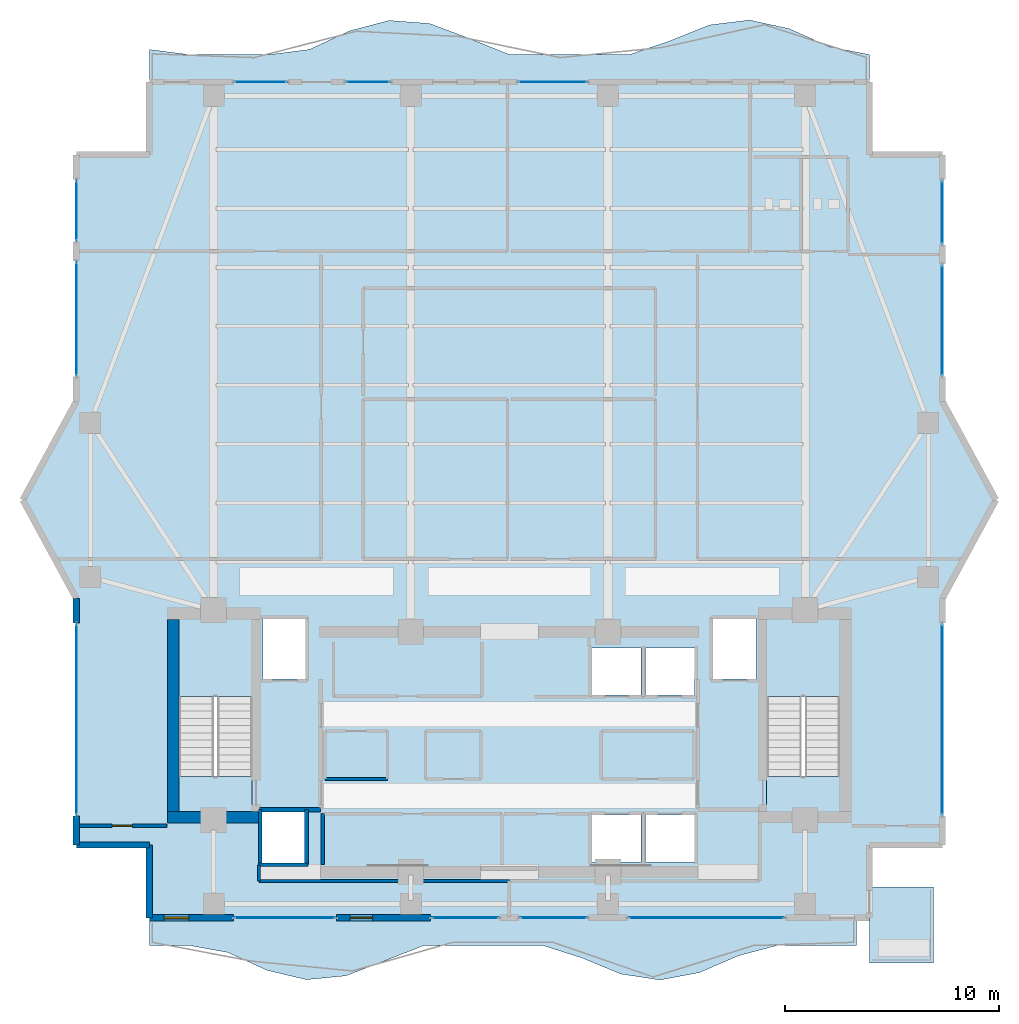
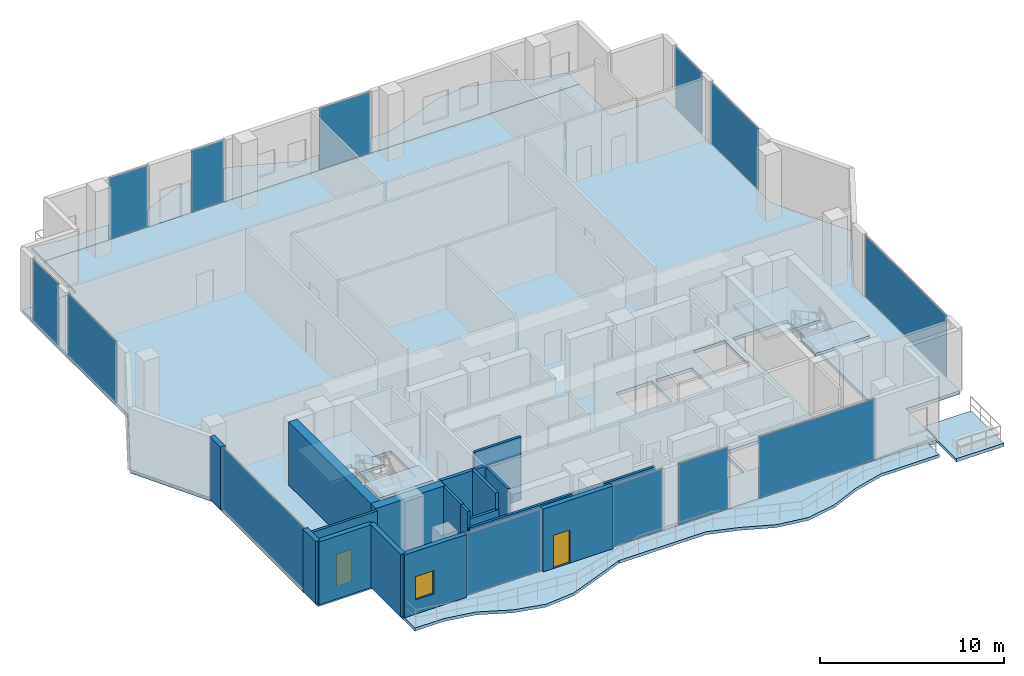
# One storey, part 16 of 23: 17 walls, 13 plates, 8 slabs, 2 doors, 1 window, 3 openings, 15 elements without a shape of their own.
"""IFC4 building model written with IfcOpenShell, lengths in metres."""

from ifc_helpers import new_model, si_unit, direction, frame, frame_2d, origin, origin_2d, place, context, subcontext, project, spatial, polyline, rectangle, outline, extrude, material, layer, layer_set, type_object, element, fill, aggregate, save


model = new_model("IFC4")

# Units and contexts
model_context = context("Model", 3, precision=1e-05, world=origin(), true_north=direction((0.0, 1.0)))
body_context = subcontext(model_context, "Body", "Model", "MODEL_VIEW")
ifc_project = project(units=[si_unit("LENGTHUNIT", "METRE"), si_unit("AREAUNIT", "SQUARE_METRE"), si_unit("VOLUMEUNIT", "CUBIC_METRE"), si_unit("PLANEANGLEUNIT", "RADIAN"), si_unit("MASSUNIT", "GRAM", prefix="KILO")], contexts=[model_context])

# Site, building, storey
site_placement = place(None, origin())
site = spatial("IfcSite", under=ifc_project, at=site_placement, CompositionType="ELEMENT")
building_placement = place(site_placement, origin())
building = spatial("IfcBuilding", under=site, at=building_placement, Name="Zuhayl Quay Hotel", CompositionType="ELEMENT")
storey_placement = place(building_placement, frame((0.0, 0.0, 288.449951171875)))
storey = spatial("IfcBuildingStorey", under=building, at=storey_placement, Name="L73", CompositionType="ELEMENT", Elevation=288.449951171875)

# Curtain wall, plate
ifc_material_1 = material(Name="Anodised Aluminium 6063-T6", Category="aluminium")
ifc_layer_1 = layer(ifc_material_1, 0.169921875, Name="Anodised Aluminium 6063-T6", Category="aluminium")
ifc_layer_set_1 = layer_set([ifc_layer_1], Name="Anodised Aluminium 6063-T6")
curtain_wall_type = type_object("IfcCurtainWallType", Name="CW_SYS_Z4", PredefinedType="USERDEFINED", material=ifc_layer_set_1)
curtain_wall_1_placement = place(storey_placement, origin())
curtain_wall_1 = element("IfcCurtainWall", 1, at=curtain_wall_1_placement, inside=storey, type_object=curtain_wall_type, Name="L73 Curtain Wall ENV_L73_E02_CW1", ObjectType="UNITISED CURTAIN WALL", PredefinedType="USERDEFINED")
ifc_material_2 = material(Name="Dark Ceramic-Fritted Solar Glass", Category="glass")
ifc_layer_2 = layer(ifc_material_2, 0.035888671875, Name="Dark Ceramic-Fritted Solar Glass", Category="glass")
ifc_layer_set_2 = layer_set([ifc_layer_2], Name="Dark Ceramic-Fritted Solar Glass")
plate_type = type_object("IfcPlateType", Name="PN_DARK_FRIT_Z1", PredefinedType="CURTAIN_PANEL", material=ifc_layer_set_2)
plate_1_placement = place(storey_placement, frame((-20.199951171875, 9.25, 0.05517578125), z_axis=(0.0, 0.0, 1.0), x_axis=(0.0, 1.0, 0.0)))
plate_1 = element("IfcPlate", 2, at=plate_1_placement, type_object=plate_type, Name="CW-Z4 panel 1.1", PredefinedType="CURTAIN_PANEL", context=body_context, shape_type="SweptSolid", body=[
    extrude(rectangle(XDim=8.8701171875, YDim=0.035888671875, at=origin_2d()), origin(), (0.0, 0.0, 1.0), 4.070068359375),
])
aggregate(curtain_wall_1, [plate_1])

curtain_wall_2_placement = place(storey_placement, origin())
curtain_wall_2 = element("IfcCurtainWall", 3, at=curtain_wall_2_placement, inside=storey, type_object=curtain_wall_type, Name="L73 Curtain Wall ENV_L73_E05_CW1", ObjectType="UNITISED CURTAIN WALL", PredefinedType="USERDEFINED")
plate_2_placement = place(storey_placement, frame((-20.199951171875, 27.949951171875, 0.05517578125), z_axis=(0.0, 0.0, 1.0), x_axis=(0.0, 1.0, 0.0)))
plate_2 = element("IfcPlate", 4, at=plate_2_placement, type_object=plate_type, Name="CW-Z4 panel 1.1", PredefinedType="CURTAIN_PANEL", context=body_context, shape_type="SweptSolid", body=[
    extrude(rectangle(XDim=5.27001953125, YDim=0.035888671875, at=origin_2d()), origin(), (0.0, 0.0, 1.0), 4.070068359375),
])
aggregate(curtain_wall_2, [plate_2])

curtain_wall_3_placement = place(storey_placement, origin())
curtain_wall_3 = element("IfcCurtainWall", 5, at=curtain_wall_3_placement, inside=storey, type_object=curtain_wall_type, Name="L73 Curtain Wall ENV_L73_E05_CW2", ObjectType="UNITISED CURTAIN WALL", PredefinedType="USERDEFINED")
plate_3_placement = place(storey_placement, frame((-20.199951171875, 33.0, 0.05517578125), z_axis=(0.0, 0.0, 1.0), x_axis=(0.0, 1.0, 0.0)))
plate_3 = element("IfcPlate", 6, at=plate_3_placement, type_object=plate_type, Name="CW-Z4 panel 1.1", PredefinedType="CURTAIN_PANEL", context=body_context, shape_type="SweptSolid", body=[
    extrude(rectangle(XDim=2.77001953125, YDim=0.035888671875, at=origin_2d()), origin(), (0.0, 0.0, 1.0), 4.070068359375),
])
aggregate(curtain_wall_3, [plate_3])

curtain_wall_4_placement = place(storey_placement, origin())
curtain_wall_4 = element("IfcCurtainWall", 7, at=curtain_wall_4_placement, inside=storey, type_object=curtain_wall_type, Name="L73 Curtain Wall ENV_L73_N_CW1", ObjectType="UNITISED CURTAIN WALL", PredefinedType="USERDEFINED")
plate_4_placement = place(storey_placement, frame((-11.6025390625, 39.0, 0.05517578125), z_axis=(0.0, 0.0, 1.0), x_axis=(1.0, 0.0, 0.0)))
plate_4 = element("IfcPlate", 8, at=plate_4_placement, type_object=plate_type, Name="CW-Z4 panel 1.1", PredefinedType="CURTAIN_PANEL", context=body_context, shape_type="SweptSolid", body=[
    extrude(rectangle(XDim=2.425048828125, YDim=0.035888671875, at=origin_2d()), origin(), (0.0, 0.0, 1.0), 4.070068359375),
])
aggregate(curtain_wall_4, [plate_4])

curtain_wall_5_placement = place(storey_placement, origin())
curtain_wall_5 = element("IfcCurtainWall", 9, at=curtain_wall_5_placement, inside=storey, type_object=curtain_wall_type, Name="L73 Curtain Wall ENV_L73_N_CW2", ObjectType="UNITISED CURTAIN WALL", PredefinedType="USERDEFINED")
plate_5_placement = place(storey_placement, frame((-6.597412109375, 39.0, 0.05517578125), z_axis=(0.0, 0.0, 1.0), x_axis=(1.0, 0.0, 0.0)))
plate_5 = element("IfcPlate", 10, at=plate_5_placement, type_object=plate_type, Name="CW-Z4 panel 1.1", PredefinedType="CURTAIN_PANEL", context=body_context, shape_type="SweptSolid", body=[
    extrude(rectangle(XDim=2.02490234375, YDim=0.035888671875, at=origin_2d()), origin(), (0.0, 0.0, 1.0), 4.070068359375),
])
aggregate(curtain_wall_5, [plate_5])

curtain_wall_6_placement = place(storey_placement, origin())
curtain_wall_6 = element("IfcCurtainWall", 11, at=curtain_wall_6_placement, inside=storey, type_object=curtain_wall_type, Name="L73 Curtain Wall ENV_L73_N_CW3", ObjectType="UNITISED CURTAIN WALL", PredefinedType="USERDEFINED")
plate_6_placement = place(storey_placement, frame((2.02490234375, 39.0, 0.05517578125), z_axis=(0.0, 0.0, 1.0), x_axis=(1.0, 0.0, 0.0)))
plate_6 = element("IfcPlate", 12, at=plate_6_placement, type_object=plate_type, Name="CW-Z4 panel 1.1", PredefinedType="CURTAIN_PANEL", context=body_context, shape_type="SweptSolid", body=[
    extrude(rectangle(XDim=3.179931640625, YDim=0.035888671875, at=origin_2d()), origin(), (0.0, 0.0, 1.0), 4.070068359375),
])
aggregate(curtain_wall_6, [plate_6])

curtain_wall_7_placement = place(storey_placement, origin())
curtain_wall_7 = element("IfcCurtainWall", 13, at=curtain_wall_7_placement, inside=storey, type_object=curtain_wall_type, Name="L73 Curtain Wall ENV_L73_E11_CW1", ObjectType="UNITISED CURTAIN WALL", PredefinedType="USERDEFINED")
plate_7_placement = place(storey_placement, frame((20.199951171875, 32.925048828125, 0.05517578125), z_axis=(0.0, 0.0, 1.0), x_axis=(0.0, -1.0, 0.0)))
plate_7 = element("IfcPlate", 14, at=plate_7_placement, type_object=plate_type, Name="CW-Z4 panel 1.1", PredefinedType="CURTAIN_PANEL", context=body_context, shape_type="SweptSolid", body=[
    extrude(rectangle(XDim=2.919921875, YDim=0.035888671875, at=origin_2d()), origin(), (0.0, 0.0, 1.0), 4.070068359375),
])
aggregate(curtain_wall_7, [plate_7])

curtain_wall_8_placement = place(storey_placement, origin())
curtain_wall_8 = element("IfcCurtainWall", 15, at=curtain_wall_8_placement, inside=storey, type_object=curtain_wall_type, Name="L73 Curtain Wall ENV_L73_E11_CW2", ObjectType="UNITISED CURTAIN WALL", PredefinedType="USERDEFINED")
plate_8_placement = place(storey_placement, frame((20.199951171875, 27.875, 0.05517578125), z_axis=(0.0, 0.0, 1.0), x_axis=(0.0, -1.0, 0.0)))
plate_8 = element("IfcPlate", 16, at=plate_8_placement, type_object=plate_type, Name="CW-Z4 panel 1.1", PredefinedType="CURTAIN_PANEL", context=body_context, shape_type="SweptSolid", body=[
    extrude(rectangle(XDim=5.1201171875, YDim=0.035888671875, at=origin_2d()), origin(), (0.0, 0.0, 1.0), 4.070068359375),
])
aggregate(curtain_wall_8, [plate_8])

curtain_wall_9_placement = place(storey_placement, origin())
curtain_wall_9 = element("IfcCurtainWall", 17, at=curtain_wall_9_placement, inside=storey, type_object=curtain_wall_type, Name="L73 Curtain Wall ENV_L73_E14_CW1", ObjectType="UNITISED CURTAIN WALL", PredefinedType="USERDEFINED")
plate_9_placement = place(storey_placement, frame((20.199951171875, 9.25, 0.05517578125), z_axis=(0.0, 0.0, 1.0), x_axis=(0.0, -1.0, 0.0)))
plate_9 = element("IfcPlate", 18, at=plate_9_placement, type_object=plate_type, Name="CW-Z4 panel 1.1", PredefinedType="CURTAIN_PANEL", context=body_context, shape_type="SweptSolid", body=[
    extrude(rectangle(XDim=8.8701171875, YDim=0.035888671875, at=origin_2d()), origin(), (0.0, 0.0, 1.0), 4.070068359375),
])
aggregate(curtain_wall_9, [plate_9])

curtain_wall_10_placement = place(storey_placement, origin())
curtain_wall_10 = element("IfcCurtainWall", 19, at=curtain_wall_10_placement, inside=storey, type_object=curtain_wall_type, Name="L73 Curtain Wall ENV_L73_S_CW1", ObjectType="UNITISED CURTAIN WALL", PredefinedType="USERDEFINED")
plate_10_placement = place(storey_placement, frame((9.199951171875, 0.0, 0.05517578125), z_axis=(0.0, 0.0, 1.0), x_axis=(-1.0, 0.0, 0.0)))
plate_10 = element("IfcPlate", 20, at=plate_10_placement, type_object=plate_type, Name="CW-Z4 panel 1.1", PredefinedType="CURTAIN_PANEL", context=body_context, shape_type="SweptSolid", body=[
    extrude(rectangle(XDim=7.22998046875, YDim=0.035888671875, at=origin_2d()), origin(), (0.0, 0.0, 1.0), 4.070068359375),
])
aggregate(curtain_wall_10, [plate_10])

curtain_wall_11_placement = place(storey_placement, origin())
curtain_wall_11 = element("IfcCurtainWall", 21, at=curtain_wall_11_placement, inside=storey, type_object=curtain_wall_type, Name="L73 Curtain Wall ENV_L73_S_CW2", ObjectType="UNITISED CURTAIN WALL", PredefinedType="USERDEFINED")
plate_11_placement = place(storey_placement, frame((2.06494140625, 0.0, 0.05517578125), z_axis=(0.0, 0.0, 1.0), x_axis=(-1.0, 0.0, 0.0)))
plate_11 = element("IfcPlate", 22, at=plate_11_placement, type_object=plate_type, Name="CW-Z4 panel 1.1", PredefinedType="CURTAIN_PANEL", context=body_context, shape_type="SweptSolid", body=[
    extrude(rectangle(XDim=3.10009765625, YDim=0.035888671875, at=origin_2d()), origin(), (0.0, 0.0, 1.0), 4.070068359375),
])
aggregate(curtain_wall_11, [plate_11])

curtain_wall_12_placement = place(storey_placement, origin())
curtain_wall_12 = element("IfcCurtainWall", 23, at=curtain_wall_12_placement, inside=storey, type_object=curtain_wall_type, Name="L73 Curtain Wall ENV_L73_S_CW3", ObjectType="UNITISED CURTAIN WALL", PredefinedType="USERDEFINED")
plate_12_placement = place(storey_placement, frame((-2.06494140625, 0.0, 0.05517578125), z_axis=(0.0, 0.0, 1.0), x_axis=(-1.0, 0.0, 0.0)))
plate_12 = element("IfcPlate", 24, at=plate_12_placement, type_object=plate_type, Name="CW-Z4 panel 1.1", PredefinedType="CURTAIN_PANEL", context=body_context, shape_type="SweptSolid", body=[
    extrude(rectangle(XDim=3.10009765625, YDim=0.035888671875, at=origin_2d()), origin(), (0.0, 0.0, 1.0), 4.070068359375),
])
aggregate(curtain_wall_12, [plate_12])

curtain_wall_13_placement = place(storey_placement, origin())
curtain_wall_13 = element("IfcCurtainWall", 25, at=curtain_wall_13_placement, inside=storey, type_object=curtain_wall_type, Name="L73 Curtain Wall ENV_L73_S_CW4", ObjectType="UNITISED CURTAIN WALL", PredefinedType="USERDEFINED")
plate_13_placement = place(storey_placement, frame((-10.4775390625, 0.0, 0.05517578125), z_axis=(0.0, 0.0, 1.0), x_axis=(-1.0, 0.0, 0.0)))
plate_13 = element("IfcPlate", 26, at=plate_13_placement, type_object=plate_type, Name="CW-Z4 panel 1.1", PredefinedType="CURTAIN_PANEL", context=body_context, shape_type="SweptSolid", body=[
    extrude(rectangle(XDim=4.675048828125, YDim=0.035888671875, at=origin_2d()), origin(), (0.0, 0.0, 1.0), 4.070068359375),
])
aggregate(curtain_wall_13, [plate_13])

# Slabs
ifc_material_3 = material(Name="Concrete C45/55", Category="concrete")
ifc_layer_3 = layer(ifc_material_3, 0.195068359375, Name="Concrete C45/55", Category="concrete")
ifc_layer_set_3 = layer_set([ifc_layer_3], Name="Concrete C45/55")
slab_type_1 = type_object("IfcSlabType", Name="SL_BALCONY_195", PredefinedType="FLOOR", material=ifc_layer_set_3)
slab_1_placement = place(storey_placement, frame((0.0, 0.0, -0.195068359375)))
element("IfcSlab", 27, at=slab_1_placement, inside=storey, type_object=slab_type_1, Name="L73 Exterior Rippling Balcony Slab North", PredefinedType="FLOOR", context=body_context, shape_type="SweptSolid", body=[
    extrude(outline(polyline([(-16.800048828125, 39.0), (16.800048828125, 39.0), (16.800048828125, 40.280029296875), (14.933349609375, 40.64990234375), (13.066650390625, 41.486328125), (11.199951171875, 41.893310546875), (9.333251953125, 41.661376953125), (7.466796875, 40.909912109375), (5.60009765625, 40.280029296875), (3.7333984375, 40.280029296875), (1.86669921875, 40.280029296875), (0.0, 40.280029296875), (-1.86669921875, 41.036376953125), (-3.7333984375, 41.732421875), (-5.60009765625, 41.872802734375), (-7.466796875, 41.384765625), (-9.333251953125, 40.519287109375), (-11.199951171875, 40.280029296875), (-13.066650390625, 40.280029296875), (-14.933349609375, 40.280029296875), (-16.800048828125, 40.519287109375), (-16.800048828125, 39.0)])), origin(), (0.0, 0.0, 1.0), 0.195068359375),
])
slab_2_placement = place(storey_placement, frame((0.0, 0.0, -0.195068359375)))
element("IfcSlab", 28, at=slab_2_placement, inside=storey, type_object=slab_type_1, Name="L73 Exterior Rippling Balcony Slab South", PredefinedType="FLOOR", context=body_context, shape_type="SweptSolid", body=[
    extrude(outline(polyline([(-16.800048828125, -1.280029296875), (-14.966796875, -1.280029296875), (-13.13330078125, -1.6171875), (-11.300048828125, -2.44921875), (-9.466796875, -2.884521484375), (-7.63330078125, -2.707275390625), (-5.800048828125, -2.0048828125), (-3.966796875, -1.280029296875), (-2.13330078125, -1.280029296875), (-0.300048828125, -1.280029296875), (1.533203125, -1.280029296875), (3.36669921875, -1.86181640625), (5.199951171875, -2.621337890625), (7.033203125, -2.89892578125), (8.86669921875, -2.556640625), (10.699951171875, -1.764404296875), (12.533203125, -1.280029296875), (14.36669921875, -1.280029296875), (16.199951171875, -1.280029296875), (16.199951171875, 0.0), (-16.800048828125, 0.0), (-16.800048828125, -1.280029296875)])), origin(), (0.0, 0.0, 1.0), 0.195068359375),
])
ifc_layer_4 = layer(ifc_material_3, 0.219970703125, Name="Concrete C45/55", Category="concrete")
ifc_layer_set_4 = layer_set([ifc_layer_4], Name="Concrete C45/55")
slab_type_2 = type_object("IfcSlabType", Name="SL_FLOOR_220", PredefinedType="FLOOR", material=ifc_layer_set_4)
slab_3_placement = place(storey_placement, frame((0.0, 0.0, -0.219970703125)))
element("IfcSlab", 29, at=slab_3_placement, inside=storey, type_object=slab_type_2, Name="L73 Structural Floor Slab", PredefinedType="FLOOR", context=body_context, shape_type="SweptSolid", body=[
    extrude(outline(polyline([(-16.800048828125, 0.0), (16.800048828125, 0.0), (16.800048828125, 3.39990234375), (20.199951171875, 3.39990234375), (20.199951171875, 14.89990234375), (22.699951171875, 19.5), (20.199951171875, 24.10009765625), (20.199951171875, 35.60009765625), (16.800048828125, 35.60009765625), (16.800048828125, 39.0), (-16.800048828125, 39.0), (-16.800048828125, 35.60009765625), (-20.199951171875, 35.60009765625), (-20.199951171875, 24.10009765625), (-22.699951171875, 19.5), (-20.199951171875, 14.89990234375), (-20.199951171875, 3.39990234375), (-16.800048828125, 3.39990234375), (-16.800048828125, 0.0)]), holes=[polyline([(-12.0, 4.949951171875), (-12.0, 13.949951171875), (-15.429931640625, 13.949951171875), (-15.429931640625, 4.949951171875), (-12.0, 4.949951171875)]), polyline([(15.429931640625, 4.949951171875), (15.429931640625, 13.949951171875), (12.0, 13.949951171875), (12.0, 4.949951171875), (15.429931640625, 4.949951171875)]), polyline([(-11.5, 11.14990234375), (-9.5, 11.14990234375), (-9.5, 13.949951171875), (-11.5, 13.949951171875), (-11.5, 11.14990234375)]), polyline([(9.5, 11.14990234375), (11.5, 11.14990234375), (11.5, 13.949951171875), (9.5, 13.949951171875), (9.5, 11.14990234375)]), polyline([(3.85009765625, 2.60009765625), (6.14990234375, 2.60009765625), (6.14990234375, 4.800048828125), (3.85009765625, 4.800048828125), (3.85009765625, 2.60009765625)]), polyline([(6.35009765625, 2.60009765625), (8.64990234375, 2.60009765625), (8.64990234375, 4.800048828125), (6.35009765625, 4.800048828125), (6.35009765625, 2.60009765625)]), polyline([(3.85009765625, 10.39990234375), (6.14990234375, 10.39990234375), (6.14990234375, 12.60009765625), (3.85009765625, 12.60009765625), (3.85009765625, 10.39990234375)]), polyline([(6.35009765625, 10.39990234375), (8.64990234375, 10.39990234375), (8.64990234375, 12.60009765625), (6.35009765625, 12.60009765625), (6.35009765625, 10.39990234375)]), polyline([(-11.550048828125, 2.550048828125), (-9.550048828125, 2.550048828125), (-9.550048828125, 4.949951171875), (-11.550048828125, 4.949951171875), (-11.550048828125, 2.550048828125)])]), origin(), (0.0, 0.0, 1.0), 0.219970703125),
])

# Stair, slabs
stair_type = type_object("IfcStairType", Name="ST_DOGLEG_TOWER", PredefinedType="HALF_TURN_STAIR", material=ifc_material_3)
stair_1_placement = place(storey_placement, origin())
stair_1 = element("IfcStair", 30, at=stair_1_placement, inside=storey, type_object=stair_type, Name="L73 Smokeproof Exit Stair ST1", PredefinedType="HALF_TURN_STAIR")
ifc_layer_5 = layer(ifc_material_3, 0.199951171875, Name="Concrete C45/55", Category="concrete")
ifc_layer_set_5 = layer_set([ifc_layer_5], Name="Concrete C45/55")
slab_type_3 = type_object("IfcSlabType", Name="SL_STAIR_LANDING_200", PredefinedType="LANDING", material=ifc_layer_set_5)
slab_4_placement = place(storey_placement, frame((0.0, 0.0, 2.0)))
slab_4 = element("IfcSlab", 31, at=slab_4_placement, type_object=slab_type_3, Name="ST1 landing 1", PredefinedType="LANDING", context=body_context, shape_type="SweptSolid", body=[
    extrude(outline(polyline([(-12.0, 10.330078125), (-12.0, 13.949951171875), (-15.429931640625, 13.949951171875), (-15.429931640625, 10.330078125), (-12.0, 10.330078125)])), origin(), (0.0, 0.0, 1.0), 0.199951171875),
])
slab_5_placement = place(storey_placement, frame((0.0, 0.0, 4.199951171875)))
slab_5 = element("IfcSlab", 32, at=slab_5_placement, type_object=slab_type_3, Name="ST1 landing 2", PredefinedType="LANDING", context=body_context, shape_type="SweptSolid", body=[
    extrude(outline(polyline([(-12.0, 4.949951171875), (-12.0, 6.590087890625), (-15.429931640625, 6.590087890625), (-15.429931640625, 4.949951171875), (-12.0, 4.949951171875)])), origin(), (0.0, 0.0, 1.0), 0.2001953125),
])
aggregate(stair_1, [slab_4, slab_5])

stair_2_placement = place(storey_placement, origin())
stair_2 = element("IfcStair", 33, at=stair_2_placement, inside=storey, type_object=stair_type, Name="L73 Smokeproof Exit Stair ST2", PredefinedType="HALF_TURN_STAIR")
slab_6_placement = place(storey_placement, frame((0.0, 0.0, 2.0)))
slab_6 = element("IfcSlab", 34, at=slab_6_placement, type_object=slab_type_3, Name="ST2 landing 1", PredefinedType="LANDING", context=body_context, shape_type="SweptSolid", body=[
    extrude(outline(polyline([(15.429931640625, 10.330078125), (15.429931640625, 13.949951171875), (12.0, 13.949951171875), (12.0, 10.330078125), (15.429931640625, 10.330078125)])), origin(), (0.0, 0.0, 1.0), 0.199951171875),
])
slab_7_placement = place(storey_placement, frame((0.0, 0.0, 4.199951171875)))
slab_7 = element("IfcSlab", 35, at=slab_7_placement, type_object=slab_type_3, Name="ST2 landing 2", PredefinedType="LANDING", context=body_context, shape_type="SweptSolid", body=[
    extrude(outline(polyline([(15.429931640625, 4.949951171875), (15.429931640625, 6.590087890625), (12.0, 6.590087890625), (12.0, 4.949951171875), (15.429931640625, 4.949951171875)])), origin(), (0.0, 0.0, 1.0), 0.2001953125),
])
aggregate(stair_2, [slab_6, slab_7])

# Slab
ifc_layer_6 = layer(ifc_material_3, 0.219970703125, Name="Concrete C45/55", Category="concrete")
ifc_layer_set_6 = layer_set([ifc_layer_6], Name="Concrete C45/55")
slab_type_4 = type_object("IfcSlabType", Name="SL_TERRACE_235", PredefinedType="FLOOR", material=ifc_layer_set_6)
slab_8_placement = place(storey_placement, frame((0.0, 0.0, -0.219970703125)))
element("IfcSlab", 36, at=slab_8_placement, inside=storey, type_object=slab_type_4, Name="L73 Exterior Sky-Terrace Slab L73_SPIRAL_SE", PredefinedType="FLOOR", context=body_context, shape_type="SweptSolid", body=[
    extrude(outline(polyline([(16.800048828125, -2.10009765625), (19.800048828125, -2.10009765625), (19.800048828125, 1.449951171875), (16.800048828125, 1.449951171875), (16.800048828125, -2.10009765625)])), origin(), (0.0, 0.0, 1.0), 0.219970703125),
])

# Walls
ifc_material_4 = material(Name="Concrete C50/60", Category="concrete")
ifc_layer_7 = layer(ifc_material_4, 0.550048828125, Name="Concrete C50/60", Category="concrete")
ifc_layer_set_7 = layer_set([ifc_layer_7], Name="Concrete C50/60")
wall_type_1 = type_object("IfcWallType", Name="WL_CORE_550", PredefinedType="SHEAR", material=ifc_layer_set_7)
wall_1_placement = place(storey_placement, frame((-15.68505859375, 4.969970703125, 0.0), z_axis=(0.0, 0.0, 1.0), x_axis=(0.0, 1.0, 0.0)))
element("IfcWall", 37, at=wall_1_placement, inside=storey, type_object=wall_type_1, Name="L73 Core Shear Wall CW_W", PredefinedType="SHEAR", context=body_context, shape_type="SweptSolid", body=[
    extrude(rectangle(XDim=8.9599609375, YDim=0.550048828125, at=frame_2d((4.47998046875, 0.0))), origin(), (0.0, 0.0, 1.0), 4.2099609375),
])
wall_2_placement = place(storey_placement, frame((-15.9599609375, 4.695068359375, 0.0), z_axis=(0.0, 0.0, 1.0), x_axis=(1.0, 0.0, 0.0)))
element("IfcWall", 38, at=wall_2_placement, inside=storey, type_object=wall_type_1, Name="L73 Core Shear Wall CW_SW", PredefinedType="SHEAR", context=body_context, shape_type="SweptSolid", body=[
    extrude(rectangle(XDim=4.35986328125, YDim=0.550048828125, at=frame_2d((2.179931640625, 0.0))), origin(), (0.0, 0.0, 1.0), 4.2099609375),
])
ifc_material_5 = material(Name="Precast concrete C45/55", Category="concrete")
ifc_layer_8 = layer(ifc_material_5, 0.300048828125, Name="Precast concrete C45/55", Category="concrete")
ifc_layer_set_8 = layer_set([ifc_layer_8], Name="Precast concrete C45/55")
wall_type_2 = type_object("IfcWallType", Name="WL_EXT_300", PredefinedType="STANDARD", material=ifc_layer_set_8)
wall_3_placement = place(storey_placement, frame((-16.800048828125, 3.39990234375, 0.0), z_axis=(0.0, 0.0, 1.0), x_axis=(-1.0, 0.0, 0.0)))
element("IfcWall", 39, at=wall_3_placement, inside=storey, type_object=wall_type_2, Name="L73 Exterior Precast Wall ENV_L73_EW01", PredefinedType="STANDARD", context=body_context, shape_type="SweptSolid", body=[
    extrude(rectangle(XDim=3.39990234375, YDim=0.300048828125, at=frame_2d((1.699951171875, 0.0))), origin(), (0.0, 0.0, 1.0), 4.179931640625),
])
wall_4_placement = place(storey_placement, frame((-20.199951171875, 3.39990234375, 0.0), z_axis=(0.0, 0.0, 1.0), x_axis=(0.0, 1.0, 0.0)))
element("IfcWall", 40, at=wall_4_placement, inside=storey, type_object=wall_type_2, Name="L73 Exterior Precast Wall ENV_L73_E02_EW1", PredefinedType="STANDARD", context=body_context, shape_type="SweptSolid", body=[
    extrude(rectangle(XDim=1.35009765625, YDim=0.300048828125, at=frame_2d((0.675048828125, 0.0))), origin(), (0.0, 0.0, 1.0), 4.179931640625),
])
wall_5_placement = place(storey_placement, frame((-20.199951171875, 13.75, 0.0), z_axis=(0.0, 0.0, 1.0), x_axis=(0.0, 1.0, 0.0)))
element("IfcWall", 41, at=wall_5_placement, inside=storey, type_object=wall_type_2, Name="L73 Exterior Precast Wall ENV_L73_E02_EW2", PredefinedType="STANDARD", context=body_context, shape_type="SweptSolid", body=[
    extrude(rectangle(XDim=1.14990234375, YDim=0.300048828125, at=frame_2d((0.574951171875, 0.0))), origin(), (0.0, 0.0, 1.0), 4.179931640625),
])

# Wall, opening, door
wall_6_placement = place(storey_placement, frame((-3.679931640625, 0.0, 0.0), z_axis=(0.0, 0.0, 1.0), x_axis=(-1.0, 0.0, 0.0)))
wall_6 = element("IfcWall", 42, at=wall_6_placement, inside=storey, type_object=wall_type_2, Name="L73 Exterior Precast Wall ENV_L73_S_EW4", PredefinedType="STANDARD", context=body_context, shape_type="SweptSolid", body=[
    extrude(rectangle(XDim=4.39501953125, YDim=0.300048828125, at=frame_2d((2.197509765625, 0.0))), origin(), (0.0, 0.0, 1.0), 4.179931640625),
])
opening_1_placement = place(wall_6_placement, frame((2.695068359375, 0.0, 0.0)))
opening_1 = element("IfcOpeningElement", 43, at=opening_1_placement, cuts=wall_6, Name="Opening DG1", PredefinedType="OPENING", context=body_context, shape_type="SweptSolid", body=[
    extrude(rectangle(XDim=1.050048828125, YDim=2.199951171875, at=frame_2d((0.52490234375, 1.10009765625))), frame((0.0, 0.159912109375, 0.0), z_axis=(0.0, -1.0, 0.0), x_axis=(1.0, 0.0, 0.0)), (0.0, 0.0, 1.0), 0.320068359375),
])
ifc_material_6 = material(Name="Anodised Aluminium and Dark Solar Glass", Category="aluminium")
door_type_1 = type_object("IfcDoorType", Name="DR_EXT_TERR_1050", OperationType="NOTDEFINED", PredefinedType="DOOR", material=ifc_material_6)
door_1_placement = place(opening_1_placement, origin())
door_1 = element("IfcDoor", 44, at=door_1_placement, inside=storey, type_object=door_type_1, Name="L73 South Rippling Balcony Door", OperationType="SINGLE_SWING_RIGHT", OverallHeight=2.199951171875, OverallWidth=1.050048828125, PredefinedType="DOOR", context=body_context, shape_type="SweptSolid", body=[
    extrude(rectangle(XDim=1.050048828125, YDim=2.199951171875, at=frame_2d((0.52490234375, 1.10009765625))), frame((0.0, 0.02490234375, 0.0), z_axis=(0.0, -1.0, 0.0), x_axis=(1.0, 0.0, 0.0)), (0.0, 0.0, 1.0), 0.050048828125),
])
fill(opening_1, door_1)

# Wall, opening, window
wall_7_placement = place(storey_placement, frame((-12.8798828125, 0.0, 0.0), z_axis=(0.0, 0.0, 1.0), x_axis=(-1.0, 0.0, 0.0)))
wall_7 = element("IfcWall", 45, at=wall_7_placement, inside=storey, type_object=wall_type_2, Name="L73 Exterior Precast Wall ENV_L73_S_EW5", PredefinedType="STANDARD", context=body_context, shape_type="SweptSolid", body=[
    extrude(rectangle(XDim=3.920166015625, YDim=0.300048828125, at=frame_2d((1.9599609375, 0.0))), origin(), (0.0, 0.0, 1.0), 4.179931640625),
])
opening_2_placement = place(wall_7_placement, frame((2.074951171875, 0.0, 0.949951171875)))
opening_2 = element("IfcOpeningElement", 46, at=opening_2_placement, cuts=wall_7, Name="Opening W01N", PredefinedType="OPENING", context=body_context, shape_type="SweptSolid", body=[
    extrude(rectangle(XDim=1.14990234375, YDim=1.550048828125, at=frame_2d((0.574951171875, 0.77490234375))), frame((0.0, 0.159912109375, 0.0), z_axis=(0.0, -1.0, 0.0), x_axis=(1.0, 0.0, 0.0)), (0.0, 0.0, 1.0), 0.320068359375),
])
window_type = type_object("IfcWindowType", Name="WN_NOTCH_1350", PartitioningType="SINGLE_PANEL", PredefinedType="WINDOW", material=ifc_material_2)
window_placement = place(opening_2_placement, origin())
window = element("IfcWindow", 47, at=window_placement, inside=storey, type_object=window_type, Name="L73 Operable Facade Window 5-1", OverallHeight=1.550048828125, OverallWidth=1.14990234375, PartitioningType="SINGLE_PANEL", PredefinedType="WINDOW", context=body_context, shape_type="SweptSolid", body=[
    extrude(rectangle(XDim=1.14990234375, YDim=1.550048828125, at=frame_2d((0.574951171875, 0.77490234375))), frame((0.0, 0.030029296875, 0.0), z_axis=(0.0, -1.0, 0.0), x_axis=(1.0, 0.0, 0.0)), (0.0, 0.0, 1.0), 0.06005859375),
])
fill(opening_2, window)

# Walls
wall_8_placement = place(storey_placement, frame((-16.800048828125, 0.0, 0.0), z_axis=(0.0, 0.0, 1.0), x_axis=(0.0, 1.0, 0.0)))
element("IfcWall", 48, at=wall_8_placement, inside=storey, type_object=wall_type_2, Name="L73 Exterior Precast Wall ENV_L73_EW18", PredefinedType="STANDARD", context=body_context, shape_type="SweptSolid", body=[
    extrude(rectangle(XDim=3.39990234375, YDim=0.300048828125, at=frame_2d((1.699951171875, 0.0))), origin(), (0.0, 0.0, 1.0), 4.179931640625),
])
ifc_material_7 = material(Name="Acoustic Gypsum Partition STC-58")
ifc_layer_9 = layer(ifc_material_7, 0.14990234375, Name="Acoustic Gypsum Partition STC-58")
ifc_layer_set_9 = layer_set([ifc_layer_9], Name="Acoustic Gypsum Partition STC-58")
wall_type_3 = type_object("IfcWallType", Name="WL_PART_150", PredefinedType="PARTITIONING", material=ifc_layer_set_9)
wall_9_placement = place(storey_placement, frame((-8.7099609375, 2.489990234375, 0.0), z_axis=(0.0, 0.0, 1.0), x_axis=(0.0, 1.0, 0.0)))
element("IfcWall", 49, at=wall_9_placement, inside=storey, type_object=wall_type_3, Name="L73 Partition IW_L73_FMP_SW_W", PredefinedType="PARTITIONING", context=body_context, shape_type="SweptSolid", body=[
    extrude(rectangle(XDim=2.3701171875, YDim=0.14990234375, at=frame_2d((1.18505859375, 0.0))), origin(), (0.0, 0.0, 1.0), 4.179931640625),
])
wall_10_placement = place(storey_placement, frame((-8.610107421875, 6.47998046875, 0.0), z_axis=(0.0, 0.0, 1.0), x_axis=(1.0, 0.0, 0.0)))
element("IfcWall", 50, at=wall_10_placement, inside=storey, type_object=wall_type_3, Name="L73 Partition IW_L73_CORE_HK_S", PredefinedType="PARTITIONING", context=body_context, shape_type="SweptSolid", body=[
    extrude(rectangle(XDim=2.920166015625, YDim=0.14990234375, at=frame_2d((1.4599609375, 0.0))), origin(), (0.0, 0.0, 1.0), 4.179931640625),
])
wall_11_placement = place(storey_placement, frame((-11.679931640625, 1.719970703125, 0.0), z_axis=(0.0, 0.0, 1.0), x_axis=(0.0, 1.0, 0.0)))
element("IfcWall", 51, at=wall_11_placement, inside=storey, type_object=wall_type_3, Name="L73 Partition IW_L73_Z4_SUN_SW_IN", PredefinedType="PARTITIONING", context=body_context, shape_type="SweptSolid", body=[
    extrude(rectangle(XDim=0.75, YDim=0.14990234375, at=frame_2d((0.375, 0.0))), origin(), (0.0, 0.0, 1.0), 4.179931640625),
])
wall_12_placement = place(storey_placement, frame((-11.679931640625, 1.719970703125, 0.0), z_axis=(0.0, 0.0, 1.0), x_axis=(1.0, 0.0, 0.0)))
element("IfcWall", 52, at=wall_12_placement, inside=storey, type_object=wall_type_3, Name="L73 Partition IW_L73_Z4_SUN_SW_SN", PredefinedType="PARTITIONING", context=body_context, shape_type="SweptSolid", body=[
    extrude(rectangle(XDim=11.679931640625, YDim=0.14990234375, at=frame_2d((5.83984375, 0.0))), origin(), (0.0, 0.0, 1.0), 3.080078125),
])

# Wall, opening, door
ifc_layer_10 = layer(ifc_material_7, 0.159912109375, Name="Acoustic Gypsum Partition STC-58")
ifc_layer_set_10 = layer_set([ifc_layer_10], Name="Acoustic Gypsum Partition STC-58")
wall_type_4 = type_object("IfcWallType", Name="WL_PART_CORR_160", PredefinedType="PARTITIONING", material=ifc_layer_set_10)
wall_13_placement = place(storey_placement, frame((-20.139892578125, 4.300048828125, 0.0), z_axis=(0.0, 0.0, 1.0), x_axis=(1.0, 0.0, 0.0)))
wall_13 = element("IfcWall", 53, at=wall_13_placement, inside=storey, type_object=wall_type_4, Name="L73 Partition IW_L73_Z4_SUN_SW_N", PredefinedType="PARTITIONING", context=body_context, shape_type="SweptSolid", body=[
    extrude(rectangle(XDim=4.159912109375, YDim=0.159912109375, at=frame_2d((2.080078125, 0.0))), origin(), (0.0, 0.0, 1.0), 4.179931640625),
])
opening_3_placement = place(wall_13_placement, frame((1.60498046875, 0.0, 0.0)))
opening_3 = element("IfcOpeningElement", 54, at=opening_3_placement, cuts=wall_13, Name="Opening D03", PredefinedType="OPENING", context=body_context, shape_type="SweptSolid", body=[
    extrude(rectangle(XDim=0.949951171875, YDim=2.14990234375, at=frame_2d((0.47509765625, 1.074951171875))), frame((0.0, 0.08984375, 0.0), z_axis=(0.0, -1.0, 0.0), x_axis=(1.0, 0.0, 0.0)), (0.0, 0.0, 1.0), 0.179931640625),
])
ifc_material_8 = material(Name="Solid Walnut Acoustic Fire Door")
door_type_2 = type_object("IfcDoorType", Name="DR_SUITE_950", OperationType="NOTDEFINED", PredefinedType="DOOR", material=ifc_material_8)
door_2_placement = place(opening_3_placement, origin())
door_2 = element("IfcDoor", 55, at=door_2_placement, inside=storey, type_object=door_type_2, Name="L73 Sunset Salon SW Door", OperationType="SINGLE_SWING_RIGHT", OverallHeight=2.14990234375, OverallWidth=0.949951171875, PredefinedType="DOOR", context=body_context, shape_type="SweptSolid", body=[
    extrude(rectangle(XDim=0.949951171875, YDim=2.14990234375, at=frame_2d((0.47509765625, 1.074951171875))), frame((0.0, 0.02490234375, 0.0), z_axis=(0.0, -1.0, 0.0), x_axis=(1.0, 0.0, 0.0)), (0.0, 0.0, 1.0), 0.050048828125),
])
fill(opening_3, door_2)

# Walls
ifc_material_9 = material(Name="Gypsum Fireboard Assembly EI-90")
ifc_layer_11 = layer(ifc_material_9, 0.1650390625, Name="Gypsum Fireboard Assembly EI-90")
ifc_layer_set_11 = layer_set([ifc_layer_11], Name="Gypsum Fireboard Assembly EI-90")
wall_type_5 = type_object("IfcWallType", Name="WL_PART_SHAFT_160", PredefinedType="PARTITIONING", material=ifc_layer_set_11)
wall_14_placement = place(storey_placement, frame((-11.6298828125, 2.469970703125, 0.0), z_axis=(0.0, 0.0, 1.0), x_axis=(0.0, 1.0, 0.0)))
element("IfcWall", 56, at=wall_14_placement, inside=storey, type_object=wall_type_5, Name="L73 Partition IW_L73_RISER_W", PredefinedType="PARTITIONING", context=body_context, shape_type="SweptSolid", body=[
    extrude(rectangle(XDim=2.580078125, YDim=0.1650390625, at=frame_2d((1.2900390625, 0.0))), origin(), (0.0, 0.0, 1.0), 4.179931640625),
])
wall_15_placement = place(storey_placement, frame((-11.7099609375, 2.469970703125, 0.0), z_axis=(0.0, 0.0, 1.0), x_axis=(1.0, 0.0, 0.0)))
element("IfcWall", 57, at=wall_15_placement, inside=storey, type_object=wall_type_5, Name="L73 Partition IW_L73_RISER_S", PredefinedType="PARTITIONING", context=body_context, shape_type="SweptSolid", body=[
    extrude(rectangle(XDim=2.31005859375, YDim=0.1650390625, at=frame_2d((1.155029296875, 0.0))), origin(), (0.0, 0.0, 1.0), 3.080078125),
])
ifc_layer_12 = layer(ifc_material_9, 0.179931640625, Name="Gypsum Fireboard Assembly EI-90")
ifc_layer_set_12 = layer_set([ifc_layer_12], Name="Gypsum Fireboard Assembly EI-90")
wall_type_6 = type_object("IfcWallType", Name="WL_PART_SHAFT_180", PredefinedType="PARTITIONING", material=ifc_layer_set_12)
wall_16_placement = place(storey_placement, frame((-9.469970703125, 2.449951171875, 0.0), z_axis=(0.0, 0.0, 1.0), x_axis=(0.0, 1.0, 0.0)))
element("IfcWall", 58, at=wall_16_placement, inside=storey, type_object=wall_type_6, Name="L73 Partition IW_L73_RISER_E", PredefinedType="PARTITIONING", context=body_context, shape_type="SweptSolid", body=[
    extrude(rectangle(XDim=2.60009765625, YDim=0.179931640625, at=frame_2d((1.300048828125, 0.0))), origin(), (0.0, 0.0, 1.0), 4.179931640625),
])
ifc_material_10 = material(Name="Gypsum Fireboard Assembly EI-120")
ifc_layer_13 = layer(ifc_material_10, 0.199951171875, Name="Gypsum Fireboard Assembly EI-120")
ifc_layer_set_13 = layer_set([ifc_layer_13], Name="Gypsum Fireboard Assembly EI-120")
wall_type_7 = type_object("IfcWallType", Name="WL_PART_SHAFT_200", PredefinedType="PARTITIONING", material=ifc_layer_set_13)
wall_17_placement = place(storey_placement, frame((-11.64990234375, 5.050048828125, 0.0), z_axis=(0.0, 0.0, 1.0), x_axis=(1.0, 0.0, 0.0)))
element("IfcWall", 59, at=wall_17_placement, inside=storey, type_object=wall_type_7, Name="L73 Partition IW_L73_FSAE_W_S", PredefinedType="PARTITIONING", context=body_context, shape_type="SweptSolid", body=[
    extrude(rectangle(XDim=2.849853515625, YDim=0.199951171875, at=frame_2d((1.4248046875, 0.0))), origin(), (0.0, 0.0, 1.0), 4.179931640625),
])

save(model, "model.ifc")
